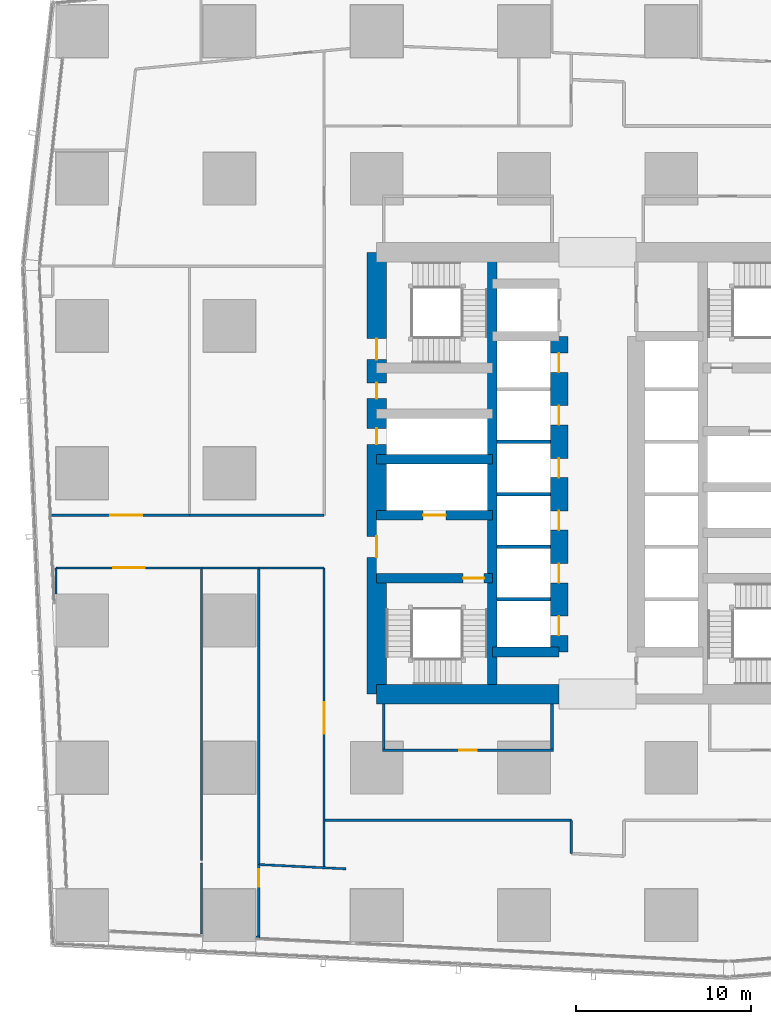
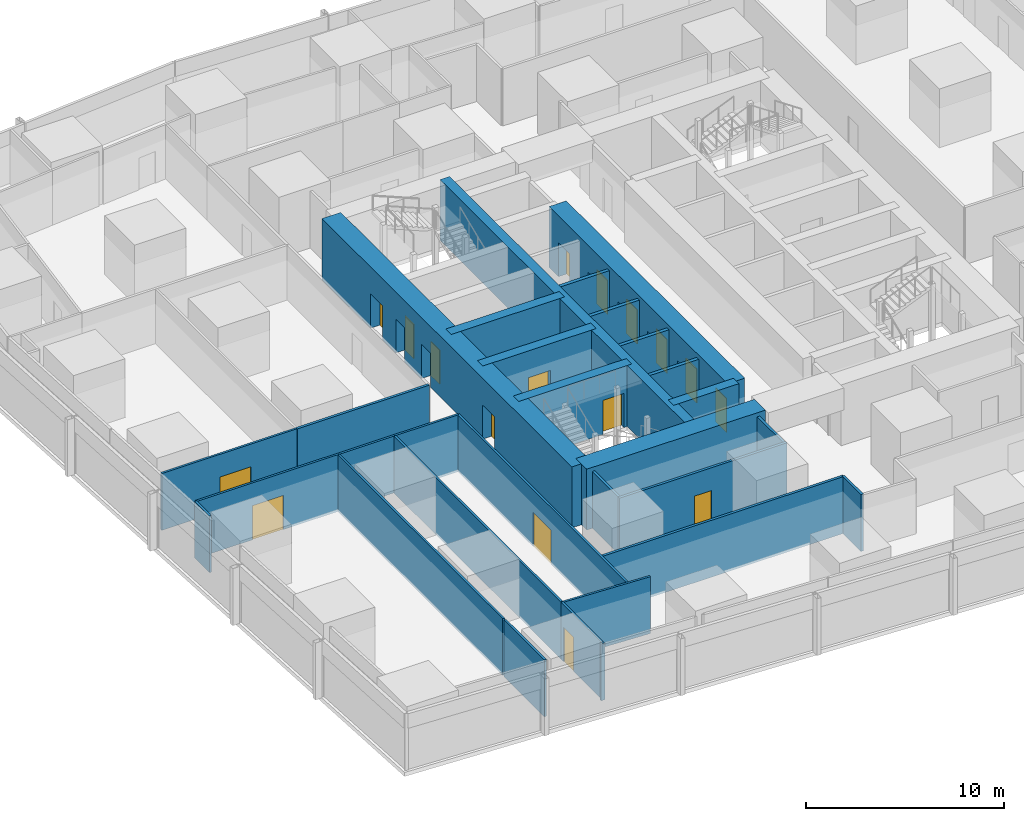
# One storey, part 32 of 45: 30 walls, 17 doors, 17 openings.
"""IFC4 building model written with IfcOpenShell, lengths in metres."""

from ifc_helpers import new_model, si_unit, direction, frame, frame_2d, origin, place, context, subcontext, project, spatial, rectangle, extrude, material, layer, layer_set, type_object, element, fill, save


model = new_model("IFC4")

# Units and contexts
model_context = context("Model", 3, precision=1e-05, world=origin(), true_north=direction((0.0, 1.0)))
body_context = subcontext(model_context, "Body", "Model", "MODEL_VIEW")
ifc_project = project(units=[si_unit("LENGTHUNIT", "METRE"), si_unit("AREAUNIT", "SQUARE_METRE"), si_unit("VOLUMEUNIT", "CUBIC_METRE"), si_unit("PLANEANGLEUNIT", "RADIAN"), si_unit("MASSUNIT", "GRAM", prefix="KILO")], contexts=[model_context])

# Site, building, storey
site_placement = place(None, origin())
site = spatial("IfcSite", under=ifc_project, at=site_placement, CompositionType="ELEMENT")
building_placement = place(site_placement, origin())
building = spatial("IfcBuilding", under=site, at=building_placement, Name="Rekha Terrace Tower", CompositionType="ELEMENT")
storey_placement = place(building_placement, frame((0.0, 0.0, 77.89990234375)))
storey = spatial("IfcBuildingStorey", under=building, at=storey_placement, Name="L19", CompositionType="ELEMENT", Elevation=77.89990234375)

# Walls
ifc_material_1 = material(Name="Concrete M70", Category="concrete")
ifc_layer_1 = layer(ifc_material_1, 0.550048828125)
ifc_layer_set_1 = layer_set([ifc_layer_1], Name="Concrete M70")
wall_type_1 = type_object("IfcWallType", Name="CI1 550 core internal shear wall", PredefinedType="SHEAR", material=ifc_layer_set_1)
wall_1_placement = place(storey_placement, frame((31.800048828125, 21.0, 0.0), z_axis=(0.0, 0.0, 1.0), x_axis=(0.0, 1.0, 0.0)))
element("IfcWall", 1, at=wall_1_placement, inside=storey, type_object=wall_type_1, Name="Core wall X318 L19", PredefinedType="SHEAR", context=body_context, shape_type="SweptSolid", body=[
    extrude(rectangle(XDim=25.199951171875, YDim=0.550048828125, at=frame_2d((12.60009765625, 0.0))), origin(), (0.0, 0.0, 1.0), 3.75),
])
wall_2_placement = place(storey_placement, frame((31.800048828125, 23.39990234375, 0.0), z_axis=(0.0, 0.0, 1.0), x_axis=(1.0, 0.0, 0.0)))
element("IfcWall", 2, at=wall_2_placement, inside=storey, type_object=wall_type_1, Name="Core wall Y234W L19", PredefinedType="SHEAR", context=body_context, shape_type="SweptSolid", body=[
    extrude(rectangle(XDim=3.800048828125, YDim=0.550048828125, at=frame_2d((1.89990234375, 0.0))), origin(), (0.0, 0.0, 1.0), 3.75),
])

# Wall, opening, door
wall_3_placement = place(storey_placement, frame((25.199951171875, 27.60009765625, 0.0), z_axis=(0.0, 0.0, 1.0), x_axis=(1.0, 0.0, 0.0)))
wall_3 = element("IfcWall", 3, at=wall_3_placement, inside=storey, type_object=wall_type_1, Name="Core wall Y276W L19", PredefinedType="SHEAR", context=body_context, shape_type="SweptSolid", body=[
    extrude(rectangle(XDim=6.60009765625, YDim=0.550048828125, at=frame_2d((3.300048828125, 0.0))), origin(), (0.0, 0.0, 1.0), 3.75),
])
opening_1_placement = place(wall_3_placement, frame((4.925048828125, 0.0, 0.0)))
opening_1 = element("IfcOpeningElement", 4, at=opening_1_placement, cuts=wall_3, Name="Opening D1", PredefinedType="OPENING", context=body_context, shape_type="SweptSolid", body=[
    extrude(rectangle(XDim=1.199951171875, YDim=2.10009765625, at=frame_2d((0.60009765625, 1.050048828125))), frame((0.0, 0.284912109375, 0.0), z_axis=(0.0, -1.0, 0.0), x_axis=(1.0, 0.0, 0.0)), (0.0, 0.0, 1.0), 0.570068359375),
])
ifc_material_2 = material(Name="Steel fire door", Category="steel")
door_type_1 = type_object("IfcDoorType", Name="D1 1200x2100 stair fire door", OperationType="SINGLE_SWING_RIGHT", PredefinedType="DOOR", material=ifc_material_2)
door_1_placement = place(opening_1_placement, origin())
door_1 = element("IfcDoor", 5, at=door_1_placement, inside=storey, type_object=door_type_1, Name="Stair ST1 door L19", OperationType="SINGLE_SWING_RIGHT", OverallHeight=2.10009765625, OverallWidth=1.199951171875, PredefinedType="DOOR", context=body_context, shape_type="SweptSolid", body=[
    extrude(rectangle(XDim=1.199951171875, YDim=2.10009765625, at=frame_2d((0.60009765625, 1.050048828125))), frame((0.0, 0.02490234375, 0.0), z_axis=(0.0, -1.0, 0.0), x_axis=(1.0, 0.0, 0.0)), (0.0, 0.0, 1.0), 0.050048828125),
])
fill(opening_1, door_1)

wall_4_placement = place(storey_placement, frame((25.199951171875, 31.199951171875, 0.0), z_axis=(0.0, 0.0, 1.0), x_axis=(1.0, 0.0, 0.0)))
wall_4 = element("IfcWall", 6, at=wall_4_placement, inside=storey, type_object=wall_type_1, Name="Core wall Y312W L19", PredefinedType="SHEAR", context=body_context, shape_type="SweptSolid", body=[
    extrude(rectangle(XDim=6.60009765625, YDim=0.550048828125, at=frame_2d((3.300048828125, 0.0))), origin(), (0.0, 0.0, 1.0), 3.75),
])
opening_2_placement = place(wall_4_placement, frame((2.64990234375, 0.0, 0.0)))
opening_2 = element("IfcOpeningElement", 7, at=opening_2_placement, cuts=wall_4, Name="Opening LD2", PredefinedType="OPENING", context=body_context, shape_type="SweptSolid", body=[
    extrude(rectangle(XDim=1.300048828125, YDim=2.10009765625, at=frame_2d((0.64990234375, 1.050048828125))), frame((0.0, 0.284912109375, 0.0), z_axis=(0.0, -1.0, 0.0), x_axis=(1.0, 0.0, 0.0)), (0.0, 0.0, 1.0), 0.570068359375),
])
ifc_material_3 = material(Name="Stainless steel sliding landing door", Category="steel")
door_type_2 = type_object("IfcDoorType", Name="LD2 1300x2100 fire lift landing door", OperationType="SLIDING_TO_LEFT", PredefinedType="USERDEFINED", material=ifc_material_3)
door_2_placement = place(opening_2_placement, origin())
door_2 = element("IfcDoor", 8, at=door_2_placement, inside=storey, type_object=door_type_2, Name="Lift FL1 landing door L19", ObjectType="LIFT LANDING DOOR", OperationType="SLIDING_TO_LEFT", OverallHeight=2.10009765625, OverallWidth=1.300048828125, PredefinedType="USERDEFINED", context=body_context, shape_type="SweptSolid", body=[
    extrude(rectangle(XDim=1.300048828125, YDim=2.10009765625, at=frame_2d((0.64990234375, 1.050048828125))), frame((0.0, 0.02490234375, 0.0), z_axis=(0.0, -1.0, 0.0), x_axis=(1.0, 0.0, 0.0)), (0.0, 0.0, 1.0), 0.050048828125),
])
fill(opening_2, door_2)

# Wall
wall_5_placement = place(storey_placement, frame((25.199951171875, 34.39990234375, 0.0), z_axis=(0.0, 0.0, 1.0), x_axis=(1.0, 0.0, 0.0)))
element("IfcWall", 9, at=wall_5_placement, inside=storey, type_object=wall_type_1, Name="Core wall Y344W L19", PredefinedType="SHEAR", context=body_context, shape_type="SweptSolid", body=[
    extrude(rectangle(XDim=6.60009765625, YDim=0.550048828125, at=frame_2d((3.300048828125, 0.0))), origin(), (0.0, 0.0, 1.0), 3.75),
])

# Wall, openings, doors
ifc_layer_2 = layer(ifc_material_1, 1.0)
ifc_layer_set_2 = layer_set([ifc_layer_2], Name="Concrete M70")
wall_type_2 = type_object("IfcWallType", Name="LW1 1000 core lobby wall at an outrigger level", PredefinedType="SHEAR", material=ifc_layer_set_2)
wall_6_placement = place(storey_placement, frame((35.60009765625, 23.39990234375, 0.0), z_axis=(0.0, 0.0, 1.0), x_axis=(0.0, 1.0, 0.0)))
wall_6 = element("IfcWall", 10, at=wall_6_placement, inside=storey, type_object=wall_type_2, Name="Core wall X356 L19", PredefinedType="SHEAR", context=body_context, shape_type="SweptSolid", body=[
    extrude(rectangle(XDim=18.0, YDim=1.0, at=frame_2d((9.0, 0.0))), origin(), (0.0, 0.0, 1.0), 3.75),
])
opening_3_placement = place(wall_6_placement, frame((0.949951171875, 0.0, 0.0)))
opening_3 = element("IfcOpeningElement", 11, at=opening_3_placement, cuts=wall_6, Name="Opening LD1", PredefinedType="OPENING", context=body_context, shape_type="SweptSolid", body=[
    extrude(rectangle(XDim=1.10009765625, YDim=2.10009765625, at=frame_2d((0.550048828125, 1.050048828125))), frame((0.0, 0.510009765625, 0.0), z_axis=(0.0, -1.0, 0.0), x_axis=(1.0, 0.0, 0.0)), (0.0, 0.0, 1.0), 1.02001953125),
])
opening_4_placement = place(wall_6_placement, frame((3.949951171875, 0.0, 0.0)))
opening_4 = element("IfcOpeningElement", 12, at=opening_4_placement, cuts=wall_6, Name="Opening LD1", PredefinedType="OPENING", context=body_context, shape_type="SweptSolid", body=[
    extrude(rectangle(XDim=1.10009765625, YDim=2.10009765625, at=frame_2d((0.550048828125, 1.050048828125))), frame((0.0, 0.510009765625, 0.0), z_axis=(0.0, -1.0, 0.0), x_axis=(1.0, 0.0, 0.0)), (0.0, 0.0, 1.0), 1.02001953125),
])
opening_5_placement = place(wall_6_placement, frame((6.949951171875, 0.0, 0.0)))
opening_5 = element("IfcOpeningElement", 13, at=opening_5_placement, cuts=wall_6, Name="Opening LD1", PredefinedType="OPENING", context=body_context, shape_type="SweptSolid", body=[
    extrude(rectangle(XDim=1.10009765625, YDim=2.10009765625, at=frame_2d((0.550048828125, 1.050048828125))), frame((0.0, 0.510009765625, 0.0), z_axis=(0.0, -1.0, 0.0), x_axis=(1.0, 0.0, 0.0)), (0.0, 0.0, 1.0), 1.02001953125),
])
opening_6_placement = place(wall_6_placement, frame((9.949951171875, 0.0, 0.0)))
opening_6 = element("IfcOpeningElement", 14, at=opening_6_placement, cuts=wall_6, Name="Opening LD1", PredefinedType="OPENING", context=body_context, shape_type="SweptSolid", body=[
    extrude(rectangle(XDim=1.10009765625, YDim=2.10009765625, at=frame_2d((0.550048828125, 1.050048828125))), frame((0.0, 0.510009765625, 0.0), z_axis=(0.0, -1.0, 0.0), x_axis=(1.0, 0.0, 0.0)), (0.0, 0.0, 1.0), 1.02001953125),
])
opening_7_placement = place(wall_6_placement, frame((12.949951171875, 0.0, 0.0)))
opening_7 = element("IfcOpeningElement", 15, at=opening_7_placement, cuts=wall_6, Name="Opening LD1", PredefinedType="OPENING", context=body_context, shape_type="SweptSolid", body=[
    extrude(rectangle(XDim=1.10009765625, YDim=2.10009765625, at=frame_2d((0.550048828125, 1.050048828125))), frame((0.0, 0.510009765625, 0.0), z_axis=(0.0, -1.0, 0.0), x_axis=(1.0, 0.0, 0.0)), (0.0, 0.0, 1.0), 1.02001953125),
])
opening_8_placement = place(wall_6_placement, frame((15.949951171875, 0.0, 0.0)))
opening_8 = element("IfcOpeningElement", 16, at=opening_8_placement, cuts=wall_6, Name="Opening LD1", PredefinedType="OPENING", context=body_context, shape_type="SweptSolid", body=[
    extrude(rectangle(XDim=1.10009765625, YDim=2.10009765625, at=frame_2d((0.550048828125, 1.050048828125))), frame((0.0, 0.510009765625, 0.0), z_axis=(0.0, -1.0, 0.0), x_axis=(1.0, 0.0, 0.0)), (0.0, 0.0, 1.0), 1.02001953125),
])
door_type_3 = type_object("IfcDoorType", Name="LD1 1100x2100 lift landing door", OperationType="SLIDING_TO_LEFT", PredefinedType="USERDEFINED", material=ifc_material_3)
door_3_placement = place(opening_3_placement, origin())
door_3 = element("IfcDoor", 17, at=door_3_placement, inside=storey, type_object=door_type_3, Name="Lift A1 landing door L19", ObjectType="LIFT LANDING DOOR", OperationType="SLIDING_TO_LEFT", OverallHeight=2.10009765625, OverallWidth=1.10009765625, PredefinedType="USERDEFINED", context=body_context, shape_type="SweptSolid", body=[
    extrude(rectangle(XDim=1.10009765625, YDim=2.10009765625, at=frame_2d((0.550048828125, 1.050048828125))), frame((0.0, 0.02490234375, 0.0), z_axis=(0.0, -1.0, 0.0), x_axis=(1.0, 0.0, 0.0)), (0.0, 0.0, 1.0), 0.050048828125),
])
fill(opening_3, door_3)
door_4_placement = place(opening_4_placement, origin())
door_4 = element("IfcDoor", 18, at=door_4_placement, inside=storey, type_object=door_type_3, Name="Lift A2 landing door L19", ObjectType="LIFT LANDING DOOR", OperationType="SLIDING_TO_LEFT", OverallHeight=2.10009765625, OverallWidth=1.10009765625, PredefinedType="USERDEFINED", context=body_context, shape_type="SweptSolid", body=[
    extrude(rectangle(XDim=1.10009765625, YDim=2.10009765625, at=frame_2d((0.550048828125, 1.050048828125))), frame((0.0, 0.02490234375, 0.0), z_axis=(0.0, -1.0, 0.0), x_axis=(1.0, 0.0, 0.0)), (0.0, 0.0, 1.0), 0.050048828125),
])
fill(opening_4, door_4)
door_5_placement = place(opening_5_placement, origin())
door_5 = element("IfcDoor", 19, at=door_5_placement, inside=storey, type_object=door_type_3, Name="Lift A3 landing door L19", ObjectType="LIFT LANDING DOOR", OperationType="SLIDING_TO_LEFT", OverallHeight=2.10009765625, OverallWidth=1.10009765625, PredefinedType="USERDEFINED", context=body_context, shape_type="SweptSolid", body=[
    extrude(rectangle(XDim=1.10009765625, YDim=2.10009765625, at=frame_2d((0.550048828125, 1.050048828125))), frame((0.0, 0.02490234375, 0.0), z_axis=(0.0, -1.0, 0.0), x_axis=(1.0, 0.0, 0.0)), (0.0, 0.0, 1.0), 0.050048828125),
])
fill(opening_5, door_5)
door_6_placement = place(opening_6_placement, origin())
door_6 = element("IfcDoor", 20, at=door_6_placement, inside=storey, type_object=door_type_3, Name="Lift A4 landing door L19", ObjectType="LIFT LANDING DOOR", OperationType="SLIDING_TO_LEFT", OverallHeight=2.10009765625, OverallWidth=1.10009765625, PredefinedType="USERDEFINED", context=body_context, shape_type="SweptSolid", body=[
    extrude(rectangle(XDim=1.10009765625, YDim=2.10009765625, at=frame_2d((0.550048828125, 1.050048828125))), frame((0.0, 0.02490234375, 0.0), z_axis=(0.0, -1.0, 0.0), x_axis=(1.0, 0.0, 0.0)), (0.0, 0.0, 1.0), 0.050048828125),
])
fill(opening_6, door_6)
door_7_placement = place(opening_7_placement, origin())
door_7 = element("IfcDoor", 21, at=door_7_placement, inside=storey, type_object=door_type_3, Name="Lift A5 landing door L19", ObjectType="LIFT LANDING DOOR", OperationType="SLIDING_TO_LEFT", OverallHeight=2.10009765625, OverallWidth=1.10009765625, PredefinedType="USERDEFINED", context=body_context, shape_type="SweptSolid", body=[
    extrude(rectangle(XDim=1.10009765625, YDim=2.10009765625, at=frame_2d((0.550048828125, 1.050048828125))), frame((0.0, 0.02490234375, 0.0), z_axis=(0.0, -1.0, 0.0), x_axis=(1.0, 0.0, 0.0)), (0.0, 0.0, 1.0), 0.050048828125),
])
fill(opening_7, door_7)
door_8_placement = place(opening_8_placement, origin())
door_8 = element("IfcDoor", 22, at=door_8_placement, inside=storey, type_object=door_type_3, Name="Lift A6 landing door L19", ObjectType="LIFT LANDING DOOR", OperationType="SLIDING_TO_LEFT", OverallHeight=2.10009765625, OverallWidth=1.10009765625, PredefinedType="USERDEFINED", context=body_context, shape_type="SweptSolid", body=[
    extrude(rectangle(XDim=1.10009765625, YDim=2.10009765625, at=frame_2d((0.550048828125, 1.050048828125))), frame((0.0, 0.02490234375, 0.0), z_axis=(0.0, -1.0, 0.0), x_axis=(1.0, 0.0, 0.0)), (0.0, 0.0, 1.0), 0.050048828125),
])
fill(opening_8, door_8)

# Wall
ifc_layer_3 = layer(ifc_material_1, 1.10009765625)
ifc_layer_set_3 = layer_set([ifc_layer_3], Name="Concrete M70")
wall_type_3 = type_object("IfcWallType", Name="SW1 1100 core outer shear wall", PredefinedType="SHEAR", material=ifc_layer_set_3)
wall_7_placement = place(storey_placement, frame((25.199951171875, 21.0, 0.0), z_axis=(0.0, 0.0, 1.0), x_axis=(1.0, 0.0, 0.0)))
element("IfcWall", 23, at=wall_7_placement, inside=storey, type_object=wall_type_3, Name="Core wall S1 L19", PredefinedType="SHEAR", context=body_context, shape_type="SweptSolid", body=[
    extrude(rectangle(XDim=10.400146484375, YDim=1.10009765625, at=frame_2d((5.2001953125, 0.0))), origin(), (0.0, 0.0, 1.0), 3.75),
])

# Wall, openings, doors
wall_8_placement = place(storey_placement, frame((25.199951171875, 21.0, 0.0), z_axis=(0.0, 0.0, 1.0), x_axis=(0.0, 1.0, 0.0)))
wall_8 = element("IfcWall", 24, at=wall_8_placement, inside=storey, type_object=wall_type_3, Name="Core wall W L19", PredefinedType="SHEAR", context=body_context, shape_type="SweptSolid", body=[
    extrude(rectangle(XDim=25.199951171875, YDim=1.10009765625, at=frame_2d((12.60009765625, 0.0))), origin(), (0.0, 0.0, 1.0), 3.75),
])
opening_9_placement = place(wall_8_placement, frame((7.800048828125, 0.0, 0.0)))
opening_9 = element("IfcOpeningElement", 25, at=opening_9_placement, cuts=wall_8, Name="Opening D2", PredefinedType="OPENING", context=body_context, shape_type="SweptSolid", body=[
    extrude(rectangle(XDim=1.199951171875, YDim=2.10009765625, at=frame_2d((0.60009765625, 1.050048828125))), frame((0.0, 0.56005859375, 0.0), z_axis=(0.0, -1.0, 0.0), x_axis=(1.0, 0.0, 0.0)), (0.0, 0.0, 1.0), 1.1201171875),
])
opening_10_placement = place(wall_8_placement, frame((14.25, 0.0, 0.0)))
opening_10 = element("IfcOpeningElement", 26, at=opening_10_placement, cuts=wall_8, Name="Opening D5", PredefinedType="OPENING", context=body_context, shape_type="SweptSolid", body=[
    extrude(rectangle(XDim=0.89990234375, YDim=2.10009765625, at=frame_2d((0.449951171875, 1.050048828125))), frame((0.0, 0.56005859375, 0.0), z_axis=(0.0, -1.0, 0.0), x_axis=(1.0, 0.0, 0.0)), (0.0, 0.0, 1.0), 1.1201171875),
])
opening_11_placement = place(wall_8_placement, frame((16.85009765625, 0.0, 0.0)))
opening_11 = element("IfcOpeningElement", 27, at=opening_11_placement, cuts=wall_8, Name="Opening D5", PredefinedType="OPENING", context=body_context, shape_type="SweptSolid", body=[
    extrude(rectangle(XDim=0.89990234375, YDim=2.10009765625, at=frame_2d((0.449951171875, 1.050048828125))), frame((0.0, 0.56005859375, 0.0), z_axis=(0.0, -1.0, 0.0), x_axis=(1.0, 0.0, 0.0)), (0.0, 0.0, 1.0), 1.1201171875),
])
opening_12_placement = place(wall_8_placement, frame((19.074951171875, 0.0, 0.0)))
opening_12 = element("IfcOpeningElement", 28, at=opening_12_placement, cuts=wall_8, Name="Opening D1", PredefinedType="OPENING", context=body_context, shape_type="SweptSolid", body=[
    extrude(rectangle(XDim=1.199951171875, YDim=2.10009765625, at=frame_2d((0.60009765625, 1.050048828125))), frame((0.0, 0.56005859375, 0.0), z_axis=(0.0, -1.0, 0.0), x_axis=(1.0, 0.0, 0.0)), (0.0, 0.0, 1.0), 1.1201171875),
])
door_9_placement = place(opening_12_placement, origin())
door_9 = element("IfcDoor", 29, at=door_9_placement, inside=storey, type_object=door_type_1, Name="Stair ST4 door L19", OperationType="SINGLE_SWING_RIGHT", OverallHeight=2.10009765625, OverallWidth=1.199951171875, PredefinedType="DOOR", context=body_context, shape_type="SweptSolid", body=[
    extrude(rectangle(XDim=1.199951171875, YDim=2.10009765625, at=frame_2d((0.60009765625, 1.050048828125))), frame((0.0, 0.02490234375, 0.0), z_axis=(0.0, -1.0, 0.0), x_axis=(1.0, 0.0, 0.0)), (0.0, 0.0, 1.0), 0.050048828125),
])
fill(opening_12, door_9)
door_type_4 = type_object("IfcDoorType", Name="D2 1200x2100 firefighting lobby door", OperationType="SINGLE_SWING_LEFT", PredefinedType="DOOR", material=ifc_material_2)
door_10_placement = place(opening_9_placement, origin())
door_10 = element("IfcDoor", 30, at=door_10_placement, inside=storey, type_object=door_type_4, Name="Door flb1 L19", OperationType="SINGLE_SWING_LEFT", OverallHeight=2.10009765625, OverallWidth=1.199951171875, PredefinedType="DOOR", context=body_context, shape_type="SweptSolid", body=[
    extrude(rectangle(XDim=1.199951171875, YDim=2.10009765625, at=frame_2d((0.60009765625, 1.050048828125))), frame((0.0, 0.02490234375, 0.0), z_axis=(0.0, -1.0, 0.0), x_axis=(1.0, 0.0, 0.0)), (0.0, 0.0, 1.0), 0.050048828125),
])
fill(opening_9, door_10)
door_type_5 = type_object("IfcDoorType", Name="D5 900x2100 riser access door", OperationType="SINGLE_SWING_LEFT", PredefinedType="DOOR", material=ifc_material_2)
door_11_placement = place(opening_10_placement, origin())
door_11 = element("IfcDoor", 31, at=door_11_placement, inside=storey, type_object=door_type_5, Name="Door rs1 L19", OperationType="SINGLE_SWING_LEFT", OverallHeight=2.10009765625, OverallWidth=0.89990234375, PredefinedType="DOOR", context=body_context, shape_type="SweptSolid", body=[
    extrude(rectangle(XDim=0.89990234375, YDim=2.10009765625, at=frame_2d((0.449951171875, 1.050048828125))), frame((0.0, 0.02490234375, 0.0), z_axis=(0.0, -1.0, 0.0), x_axis=(1.0, 0.0, 0.0)), (0.0, 0.0, 1.0), 0.050048828125),
])
fill(opening_10, door_11)
door_12_placement = place(opening_11_placement, origin())
door_12 = element("IfcDoor", 32, at=door_12_placement, inside=storey, type_object=door_type_5, Name="Door elw L19", OperationType="SINGLE_SWING_LEFT", OverallHeight=2.10009765625, OverallWidth=0.89990234375, PredefinedType="DOOR", context=body_context, shape_type="SweptSolid", body=[
    extrude(rectangle(XDim=0.89990234375, YDim=2.10009765625, at=frame_2d((0.449951171875, 1.050048828125))), frame((0.0, 0.02490234375, 0.0), z_axis=(0.0, -1.0, 0.0), x_axis=(1.0, 0.0, 0.0)), (0.0, 0.0, 1.0), 0.050048828125),
])
fill(opening_11, door_12)

# Wall, opening, door
ifc_material_4 = material(Name="Concrete block masonry, 1 hour", Category="masonry")
ifc_layer_4 = layer(ifc_material_4, 0.14990234375)
ifc_layer_set_4 = layer_set([ifc_layer_4], Name="Concrete block masonry, 1 hour")
wall_type_4 = type_object("IfcWallType", Name="WP2 150 tenancy partition", PredefinedType="PARTITIONING", material=ifc_layer_set_4)
wall_9_placement = place(storey_placement, frame((25.52490234375, 17.800048828125, 0.0), z_axis=(0.0, 0.0, 1.0), x_axis=(1.0, 0.0, 0.0)))
wall_9 = element("IfcWall", 33, at=wall_9_placement, inside=storey, type_object=wall_type_4, Name="Men's WC wall L19", PredefinedType="PARTITIONING", context=body_context, shape_type="SweptSolid", body=[
    extrude(rectangle(XDim=9.75, YDim=0.14990234375, at=frame_2d((4.875, 0.0))), origin(), (0.0, 0.0, 1.0), 3.5),
])
opening_13_placement = place(wall_9_placement, frame((4.375, 0.0, 0.0)))
opening_13 = element("IfcOpeningElement", 34, at=opening_13_placement, cuts=wall_9, Name="Opening D3", PredefinedType="OPENING", context=body_context, shape_type="SweptSolid", body=[
    extrude(rectangle(XDim=1.0, YDim=2.10009765625, at=frame_2d((0.5, 1.050048828125))), frame((0.0, 0.0849609375, 0.0), z_axis=(0.0, -1.0, 0.0), x_axis=(1.0, 0.0, 0.0)), (0.0, 0.0, 1.0), 0.169921875),
])
ifc_material_5 = material(Name="Laminated timber fire door", Category="wood")
door_type_6 = type_object("IfcDoorType", Name="D3 1000x2100 WC door", OperationType="SINGLE_SWING_LEFT", PredefinedType="DOOR", material=ifc_material_5)
door_13_placement = place(opening_13_placement, origin())
door_13 = element("IfcDoor", 35, at=door_13_placement, inside=storey, type_object=door_type_6, Name="Door men's wc L19", OperationType="SINGLE_SWING_LEFT", OverallHeight=2.10009765625, OverallWidth=1.0, PredefinedType="DOOR", context=body_context, shape_type="SweptSolid", body=[
    extrude(rectangle(XDim=1.0, YDim=2.10009765625, at=frame_2d((0.5, 1.050048828125))), frame((0.0, 0.02490234375, 0.0), z_axis=(0.0, -1.0, 0.0), x_axis=(1.0, 0.0, 0.0)), (0.0, 0.0, 1.0), 0.050048828125),
])
fill(opening_13, door_13)

# Walls
for number, where, z_axis, x_axis, name in (
    (36, (25.60009765625, 17.875, 0.0), (0.0, 0.0, 1.0), (0.0, 1.0, 0.0), "Men's WC wall L19"),
    (37, (35.199951171875, 17.875, 0.0), (0.0, 0.0, 1.0), (0.0, 1.0, 0.0), "Men's WC wall L19"),
):
    element("IfcWall", number, at=place(storey_placement, frame(where, z_axis=z_axis, x_axis=x_axis)), inside=storey, type_object=wall_type_4, Name=name, PredefinedType="PARTITIONING", context=body_context, shape_type="SweptSolid", body=[
        extrude(rectangle(XDim=2.574951171875, YDim=0.14990234375, at=frame_2d((1.28759765625, 0.0))), origin(), (0.0, 0.0, 1.0), 3.5),
    ])
wall_10_placement = place(storey_placement, frame((22.261962890625, 13.800048828125, 0.0), z_axis=(0.0, 0.0, 1.0), x_axis=(1.0, 0.0, 0.0)))
element("IfcWall", 38, at=wall_10_placement, inside=storey, type_object=wall_type_4, Name="Partition L19-O1", PredefinedType="PARTITIONING", context=body_context, shape_type="SweptSolid", body=[
    extrude(rectangle(XDim=14.0380859375, YDim=0.14990234375, at=frame_2d((7.01904296875, 0.0))), origin(), (0.0, 0.0, 1.0), 3.5),
])
wall_11_placement = place(storey_placement, frame((36.300048828125, 13.800048828125, 0.0), z_axis=(0.0, 0.0, 1.0), x_axis=(0.0, -1.0, 0.0)))
element("IfcWall", 39, at=wall_11_placement, inside=storey, type_object=wall_type_4, Name="Partition L19-O1", PredefinedType="PARTITIONING", context=body_context, shape_type="SweptSolid", body=[
    extrude(rectangle(XDim=1.89111328125, YDim=0.14990234375, at=frame_2d((0.945556640625, 0.0))), origin(), (0.0, 0.0, 1.0), 3.5),
])
wall_12_placement = place(storey_placement, frame((22.199951171875, 31.199951171875, 0.0), z_axis=(0.0, 0.0, 1.0), x_axis=(-1.0, 0.0, 0.0)))
element("IfcWall", 40, at=wall_12_placement, inside=storey, type_object=wall_type_4, Name="Partition L19-O4", PredefinedType="PARTITIONING", context=body_context, shape_type="SweptSolid", body=[
    extrude(rectangle(XDim=7.682861328125, YDim=0.14990234375, at=frame_2d((3.84130859375, 0.0))), origin(), (0.0, 0.0, 1.0), 3.5),
])
ifc_material_6 = material(Name="Two layers of fire-rated gypsum board each side on steel studs, acoustic quilt, 1 hour", Category="steel")
ifc_layer_5 = layer(ifc_material_6, 0.125)
ifc_layer_set_5 = layer_set([ifc_layer_5], Name="Two layers of fire-rated gypsum board each side on steel studs, acoustic quilt, 1 hour")
wall_type_5 = type_object("IfcWallType", Name="WP3 125 office partition", PredefinedType="PARTITIONING", material=ifc_layer_set_5)
wall_13_placement = place(storey_placement, frame((15.2080078125, 11.381103515625, 0.0), z_axis=(0.0, 0.0, 1.0), x_axis=(0.0, -1.0, 0.0)))
element("IfcWall", 41, at=wall_13_placement, inside=storey, type_object=wall_type_5, Name="Partition L19-08", PredefinedType="PARTITIONING", context=body_context, shape_type="SweptSolid", body=[
    extrude(rectangle(XDim=4.06298828125, YDim=0.125, at=frame_2d((2.031494140625, 0.0))), origin(), (0.0, 0.0, 1.0), 3.5),
])
wall_14_placement = place(storey_placement, frame((18.47509765625, 11.282958984375, 0.0), z_axis=(0.0, 0.0, 1.0), x_axis=(0.998791733406, -0.049143395075, 0.0)))
element("IfcWall", 42, at=wall_14_placement, inside=storey, type_object=wall_type_5, Name="Partition L19-09", PredefinedType="PARTITIONING", context=body_context, shape_type="SweptSolid", body=[
    extrude(rectangle(XDim=4.98291015625, YDim=0.125, at=frame_2d((2.491455078125, 0.0))), origin(), (0.0, 0.0, 1.0), 3.5),
])

# Wall, opening, door
wall_15_placement = place(storey_placement, frame((18.47509765625, 7.157958984375, 0.0), z_axis=(0.0, 0.0, 1.0), x_axis=(0.0, 1.0, 0.0)))
wall_15 = element("IfcWall", 43, at=wall_15_placement, inside=storey, type_object=wall_type_5, Name="Partition L19-09", PredefinedType="PARTITIONING", context=body_context, shape_type="SweptSolid", body=[
    extrude(rectangle(XDim=4.125, YDim=0.125, at=frame_2d((2.0625, 0.0))), origin(), (0.0, 0.0, 1.0), 3.5),
])
opening_14_placement = place(wall_15_placement, frame((2.862060546875, 0.0, 0.0)))
opening_14 = element("IfcOpeningElement", 44, at=opening_14_placement, cuts=wall_15, Name="Opening D9", PredefinedType="OPENING", context=body_context, shape_type="SweptSolid", body=[
    extrude(rectangle(XDim=1.0, YDim=2.10009765625, at=frame_2d((0.5, 1.050048828125))), frame((0.0, 0.072509765625, 0.0), z_axis=(0.0, -1.0, 0.0), x_axis=(1.0, 0.0, 0.0)), (0.0, 0.0, 1.0), 0.14501953125),
])
ifc_material_7 = material(Name="Timber fire door", Category="wood")
door_type_7 = type_object("IfcDoorType", Name="D9 1000x2100 office door", OperationType="SINGLE_SWING_LEFT", PredefinedType="DOOR", material=ifc_material_7)
door_14_placement = place(opening_14_placement, origin())
door_14 = element("IfcDoor", 45, at=door_14_placement, inside=storey, type_object=door_type_7, Name="Door meeting room L19", OperationType="SINGLE_SWING_LEFT", OverallHeight=2.10009765625, OverallWidth=1.0, PredefinedType="DOOR", context=body_context, shape_type="SweptSolid", body=[
    extrude(rectangle(XDim=1.0, YDim=2.10009765625, at=frame_2d((0.5, 1.050048828125))), frame((0.0, 0.02490234375, 0.0), z_axis=(0.0, -1.0, 0.0), x_axis=(1.0, 0.0, 0.0)), (0.0, 0.0, 1.0), 0.050048828125),
])
fill(opening_14, door_14)

# Wall
wall_16_placement = place(storey_placement, frame((6.916015625, 26.719970703125, 0.0), z_axis=(0.0, 0.0, 1.0), x_axis=(0.0, 1.0, 0.0)))
element("IfcWall", 46, at=wall_16_placement, inside=storey, type_object=wall_type_5, Name="Partition L19-10", PredefinedType="PARTITIONING", context=body_context, shape_type="SweptSolid", body=[
    extrude(rectangle(XDim=1.47998046875, YDim=0.125, at=frame_2d((0.739990234375, 0.0))), origin(), (0.0, 0.0, 1.0), 3.5),
])

# Wall, opening, door
wall_17_placement = place(storey_placement, frame((6.916015625, 28.199951171875, 0.0), z_axis=(0.0, 0.0, 1.0), x_axis=(1.0, 0.0, 0.0)))
wall_17 = element("IfcWall", 47, at=wall_17_placement, inside=storey, type_object=wall_type_5, Name="Partition L19-10", PredefinedType="PARTITIONING", context=body_context, shape_type="SweptSolid", body=[
    extrude(rectangle(XDim=8.325927734375, YDim=0.125, at=frame_2d((4.1630859375, 0.0))), origin(), (0.0, 0.0, 1.0), 3.5),
])
opening_15_placement = place(wall_17_placement, frame((3.262939453125, 0.0, 0.0)))
opening_15 = element("IfcOpeningElement", 48, at=opening_15_placement, cuts=wall_17, Name="Opening D8", PredefinedType="OPENING", context=body_context, shape_type="SweptSolid", body=[
    extrude(rectangle(XDim=1.800048828125, YDim=2.10009765625, at=frame_2d((0.89990234375, 1.050048828125))), frame((0.0, 0.072509765625, 0.0), z_axis=(0.0, -1.0, 0.0), x_axis=(1.0, 0.0, 0.0)), (0.0, 0.0, 1.0), 0.14501953125),
])
door_type_8 = type_object("IfcDoorType", Name="D8 1800x2100 double leaf door", OperationType="DOUBLE_DOOR_SINGLE_SWING", PredefinedType="DOOR", material=ifc_material_7)
door_15_placement = place(opening_15_placement, origin())
door_15 = element("IfcDoor", 49, at=door_15_placement, inside=storey, type_object=door_type_8, Name="Door reception L19", OperationType="DOUBLE_DOOR_SINGLE_SWING", OverallHeight=2.10009765625, OverallWidth=1.800048828125, PredefinedType="DOOR", context=body_context, shape_type="SweptSolid", body=[
    extrude(rectangle(XDim=1.800048828125, YDim=2.10009765625, at=frame_2d((0.89990234375, 1.050048828125))), frame((0.0, 0.02490234375, 0.0), z_axis=(0.0, -1.0, 0.0), x_axis=(1.0, 0.0, 0.0)), (0.0, 0.0, 1.0), 0.050048828125),
])
fill(opening_15, door_15)

# Walls
wall_18_placement = place(storey_placement, frame((15.2080078125, 28.136962890625, 0.0), z_axis=(0.0, 0.0, 1.0), x_axis=(0.0, -1.0, 0.0)))
element("IfcWall", 50, at=wall_18_placement, inside=storey, type_object=wall_type_5, Name="Partition L19-10", PredefinedType="PARTITIONING", context=body_context, shape_type="SweptSolid", body=[
    extrude(rectangle(XDim=16.630859375, YDim=0.125, at=frame_2d((8.3154296875, 0.0))), origin(), (0.0, 0.0, 1.0), 3.5),
])
wall_19_placement = place(storey_placement, frame((15.241943359375, 28.199951171875, 0.0), z_axis=(0.0, 0.0, 1.0), x_axis=(1.0, 0.0, 0.0)))
element("IfcWall", 51, at=wall_19_placement, inside=storey, type_object=wall_type_5, Name="Partition L19-11", PredefinedType="PARTITIONING", context=body_context, shape_type="SweptSolid", body=[
    extrude(rectangle(XDim=3.233154296875, YDim=0.125, at=frame_2d((1.61669921875, 0.0))), origin(), (0.0, 0.0, 1.0), 3.5),
])
wall_20_placement = place(storey_placement, frame((18.47509765625, 28.199951171875, 0.0), z_axis=(0.0, 0.0, 1.0), x_axis=(0.0, -1.0, 0.0)))
element("IfcWall", 52, at=wall_20_placement, inside=storey, type_object=wall_type_5, Name="Partition L19-11", PredefinedType="PARTITIONING", context=body_context, shape_type="SweptSolid", body=[
    extrude(rectangle(XDim=16.9169921875, YDim=0.125, at=frame_2d((8.45849609375, 0.0))), origin(), (0.0, 0.0, 1.0), 3.5),
])
wall_21_placement = place(storey_placement, frame((18.47509765625, 28.199951171875, 0.0), z_axis=(0.0, 0.0, 1.0), x_axis=(1.0, 0.0, 0.0)))
element("IfcWall", 53, at=wall_21_placement, inside=storey, type_object=wall_type_5, Name="Partition L19-12", PredefinedType="PARTITIONING", context=body_context, shape_type="SweptSolid", body=[
    extrude(rectangle(XDim=3.724853515625, YDim=0.125, at=frame_2d((1.8623046875, 0.0))), origin(), (0.0, 0.0, 1.0), 3.5),
])

# Wall, opening, door
wall_22_placement = place(storey_placement, frame((22.199951171875, 28.199951171875, 0.0), z_axis=(0.0, 0.0, 1.0), x_axis=(0.0, -1.0, 0.0)))
wall_22 = element("IfcWall", 54, at=wall_22_placement, inside=storey, type_object=wall_type_5, Name="Partition L19-12", PredefinedType="PARTITIONING", context=body_context, shape_type="SweptSolid", body=[
    extrude(rectangle(XDim=17.037841796875, YDim=0.125, at=frame_2d((8.51904296875, 0.0))), origin(), (0.0, 0.0, 1.0), 3.5),
])
opening_16_placement = place(wall_22_placement, frame((7.64990234375, 0.0, 0.0)))
opening_16 = element("IfcOpeningElement", 55, at=opening_16_placement, cuts=wall_22, Name="Opening D8", PredefinedType="OPENING", context=body_context, shape_type="SweptSolid", body=[
    extrude(rectangle(XDim=1.800048828125, YDim=2.10009765625, at=frame_2d((0.89990234375, 1.050048828125))), frame((0.0, 0.072509765625, 0.0), z_axis=(0.0, -1.0, 0.0), x_axis=(1.0, 0.0, 0.0)), (0.0, 0.0, 1.0), 0.14501953125),
])
door_16_placement = place(opening_16_placement, origin())
door_16 = element("IfcDoor", 56, at=door_16_placement, inside=storey, type_object=door_type_8, Name="Door storage room L19", OperationType="DOUBLE_DOOR_SINGLE_SWING", OverallHeight=2.10009765625, OverallWidth=1.800048828125, PredefinedType="DOOR", context=body_context, shape_type="SweptSolid", body=[
    extrude(rectangle(XDim=1.800048828125, YDim=2.10009765625, at=frame_2d((0.89990234375, 1.050048828125))), frame((0.0, 0.02490234375, 0.0), z_axis=(0.0, -1.0, 0.0), x_axis=(1.0, 0.0, 0.0)), (0.0, 0.0, 1.0), 0.050048828125),
])
fill(opening_16, door_16)

wall_23_placement = place(storey_placement, frame((14.51708984375, 31.199951171875, 0.0), z_axis=(0.0, 0.0, 1.0), x_axis=(-1.0, 0.0, 0.0)))
wall_23 = element("IfcWall", 57, at=wall_23_placement, inside=storey, type_object=wall_type_5, Name="Partition L19-23", PredefinedType="PARTITIONING", context=body_context, shape_type="SweptSolid", body=[
    extrude(rectangle(XDim=7.882080078125, YDim=0.125, at=frame_2d((3.94091796875, 0.0))), origin(), (0.0, 0.0, 1.0), 3.5),
])
opening_17_placement = place(wall_23_placement, frame((2.699951171875, 0.0, 0.0)))
opening_17 = element("IfcOpeningElement", 58, at=opening_17_placement, cuts=wall_23, Name="Opening D8", PredefinedType="OPENING", context=body_context, shape_type="SweptSolid", body=[
    extrude(rectangle(XDim=1.800048828125, YDim=2.10009765625, at=frame_2d((0.89990234375, 1.050048828125))), frame((0.0, 0.072509765625, 0.0), z_axis=(0.0, -1.0, 0.0), x_axis=(1.0, 0.0, 0.0)), (0.0, 0.0, 1.0), 0.14501953125),
])
door_17_placement = place(opening_17_placement, origin())
door_17 = element("IfcDoor", 59, at=door_17_placement, inside=storey, type_object=door_type_8, Name="Door reception L19", OperationType="DOUBLE_DOOR_SINGLE_SWING", OverallHeight=2.10009765625, OverallWidth=1.800048828125, PredefinedType="DOOR", context=body_context, shape_type="SweptSolid", body=[
    extrude(rectangle(XDim=1.800048828125, YDim=2.10009765625, at=frame_2d((0.89990234375, 1.050048828125))), frame((0.0, 0.02490234375, 0.0), z_axis=(0.0, -1.0, 0.0), x_axis=(1.0, 0.0, 0.0)), (0.0, 0.0, 1.0), 0.050048828125),
])
fill(opening_17, door_17)

# Walls
wall_24_placement = place(storey_placement, frame((18.5380859375, 7.157958984375, 0.0), z_axis=(0.0, 0.0, 1.0), x_axis=(-1.0, 0.0, 0.0)))
element("IfcWall", 60, at=wall_24_placement, inside=storey, type_object=wall_type_5, Name="Partition L19-09", PredefinedType="PARTITIONING", context=body_context, shape_type="SweptSolid", body=[
    extrude(rectangle(XDim=0.218017578125, YDim=0.125, at=frame_2d((0.10888671875, 0.0))), origin(), (0.0, 0.0, 1.0), 3.5),
])
ifc_material_8 = material(Name="Solid concrete block masonry, 2 hour", Category="masonry")
ifc_layer_6 = layer(ifc_material_8, 0.199951171875)
ifc_layer_set_6 = layer_set([ifc_layer_6], Name="Solid concrete block masonry, 2 hour")
wall_type_6 = type_object("IfcWallType", Name="WS1 200 stair and shaft enclosure", PredefinedType="PARTITIONING", material=ifc_layer_set_6)
for number, where, z_axis, x_axis, name in (
    (61, (32.074951171875, 26.39990234375, 0.0), (0.0, 0.0, 1.0), (1.0, 0.0, 0.0), "Lift shaft divider L19"),
    (62, (32.074951171875, 29.39990234375, 0.0), (0.0, 0.0, 1.0), (1.0, 0.0, 0.0), "Lift shaft divider L19"),
    (63, (32.074951171875, 32.39990234375, 0.0), (0.0, 0.0, 1.0), (1.0, 0.0, 0.0), "Lift shaft divider L19"),
    (64, (32.074951171875, 35.39990234375, 0.0), (0.0, 0.0, 1.0), (1.0, 0.0, 0.0), "Lift shaft divider L19"),
):
    element("IfcWall", number, at=place(storey_placement, frame(where, z_axis=z_axis, x_axis=x_axis)), inside=storey, type_object=wall_type_6, Name=name, PredefinedType="PARTITIONING", context=body_context, shape_type="SweptSolid", body=[
        extrude(rectangle(XDim=3.025146484375, YDim=0.199951171875, at=frame_2d((1.5126953125, 0.0))), origin(), (0.0, 0.0, 1.0), 3.5),
    ])

save(model, "model.ifc")
